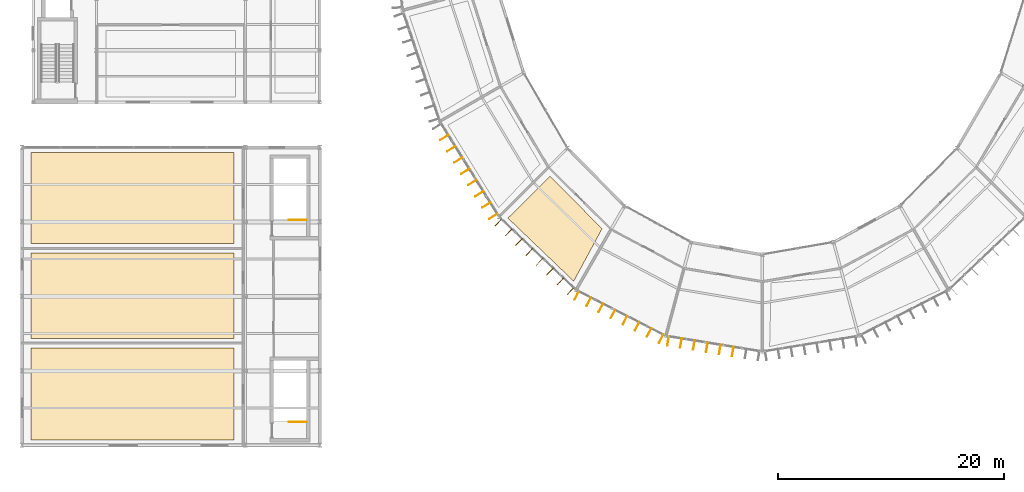
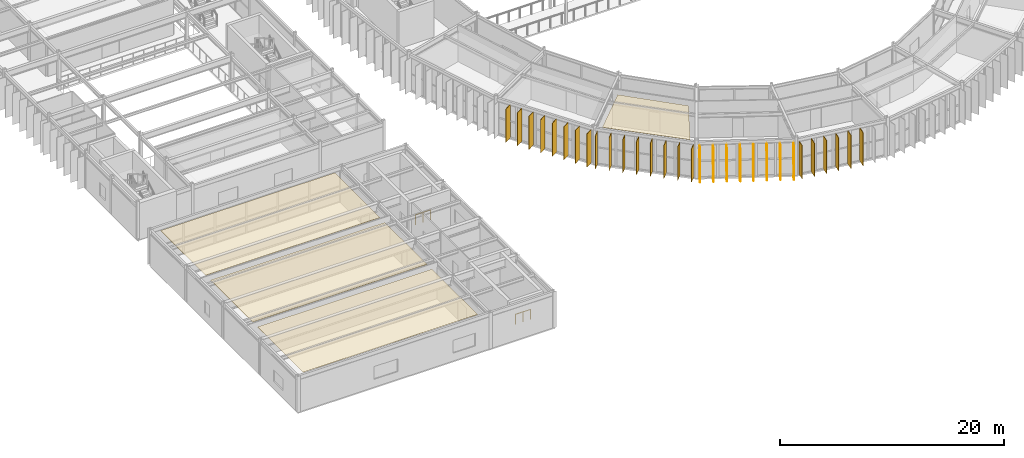
# One storey, part 133 of 147: 30 shading devices, 4 coverings, 2 railings.
"""IFC4 building model written with IfcOpenShell, lengths in metres."""

from ifc_helpers import new_model, si_unit, direction, frame, origin, origin_2d, place, context, subcontext, project, spatial, polyline, rectangle, circle, outline, extrude, material, layer, layer_set, type_object, element, save


model = new_model("IFC4")

# Units and contexts
model_context = context("Model", 3, precision=1e-05, world=origin(), true_north=direction((0.0, 1.0)))
body_context = subcontext(model_context, "Body", "Model", "MODEL_VIEW")
ifc_project = project(units=[si_unit("LENGTHUNIT", "METRE"), si_unit("AREAUNIT", "SQUARE_METRE"), si_unit("VOLUMEUNIT", "CUBIC_METRE"), si_unit("PLANEANGLEUNIT", "RADIAN"), si_unit("MASSUNIT", "GRAM", prefix="KILO")], contexts=[model_context])

# Site, building, storey
site_placement = place(None, origin())
site = spatial("IfcSite", under=ifc_project, at=site_placement, CompositionType="ELEMENT")
building_placement = place(site_placement, origin())
building = spatial("IfcBuilding", under=site, at=building_placement, Name="Karori Crest Natural Sciences Institute", CompositionType="ELEMENT")
storey_placement = place(building_placement, frame((0.0, 0.0, 9.10009765625)))
storey = spatial("IfcBuildingStorey", under=building, at=storey_placement, Name="L02", CompositionType="ELEMENT", Elevation=9.10009765625)

# Coverings
ifc_material_1 = material(Name="Acoustic mineral fibre ceiling tile")
ifc_layer_1 = layer(ifc_material_1, 0.02490234375, Name="Acoustic mineral fibre ceiling tile")
ifc_layer_set_1 = layer_set([ifc_layer_1], Name="Acoustic mineral fibre ceiling tile")
covering_type = type_object("IfcCoveringType", Name="CVT-CEIL", PredefinedType="CEILING", material=ifc_layer_set_1)
covering_1_placement = place(storey_placement, frame((0.0, 0.0, 3.704833984375)))
element("IfcCovering", 1, at=covering_1_placement, inside=storey, type_object=covering_type, Name="Acoustic ceiling CLG-0041", PredefinedType="CEILING", context=body_context, shape_type="SweptSolid", body=[
    extrude(outline(polyline([(1.59765625, 9.4013671875), (1.59765625, 1.248779296875), (19.602294921875, 1.248779296875), (19.602294921875, 9.4013671875), (1.59765625, 9.4013671875)])), origin(), (0.0, 0.0, 1.0), 0.025146484375),
])
covering_2_placement = place(storey_placement, frame((0.0, 0.0, 3.704833984375)))
element("IfcCovering", 2, at=covering_2_placement, inside=storey, type_object=covering_type, Name="Acoustic ceiling CLG-0042", PredefinedType="CEILING", context=body_context, shape_type="SweptSolid", body=[
    extrude(outline(polyline([(1.605712890625, 17.8193359375), (1.605712890625, 10.280517578125), (19.594482421875, 10.280517578125), (19.594482421875, 17.8193359375), (1.605712890625, 17.8193359375)])), origin(), (0.0, 0.0, 1.0), 0.025146484375),
])
covering_3_placement = place(storey_placement, frame((0.0, 0.0, 3.704833984375)))
element("IfcCovering", 3, at=covering_3_placement, inside=storey, type_object=covering_type, Name="Acoustic ceiling CLG-0043", PredefinedType="CEILING", context=body_context, shape_type="SweptSolid", body=[
    extrude(outline(polyline([(1.598876953125, 26.75390625), (1.598876953125, 18.696044921875), (19.60107421875, 18.696044921875), (19.60107421875, 26.75390625), (1.598876953125, 26.75390625)])), origin(), (0.0, 0.0, 1.0), 0.025146484375),
])
covering_4_placement = place(storey_placement, frame((0.0, 0.0, 3.704833984375)))
element("IfcCovering", 4, at=covering_4_placement, inside=storey, type_object=covering_type, Name="Acoustic ceiling CLG-0072", PredefinedType="CEILING", context=body_context, shape_type="SweptSolid", body=[
    extrude(outline(polyline([(52.20166015625, 19.988525390625), (47.58642578125, 24.64599609375), (43.8564453125, 20.929443359375), (49.689453125, 15.337890625), (52.20166015625, 19.988525390625)])), origin(), (0.0, 0.0, 1.0), 0.025146484375),
])

# Railings
ifc_material_2 = material(Name="Stainless steel 316 stair guard", Category="steel")
railing_type = type_object("IfcRailingType", Name="RLT-STG", PredefinedType="GUARDRAIL", material=ifc_material_2)
for number, where, name in (
    (5, (26.0, 2.85009765625, 0.0), "Stair top well guard RL-0387"),
    (6, (26.0, 20.75, 0.0), "Stair top well guard RL-0406"),
):
    element("IfcRailing", number, at=place(storey_placement, frame(where)), inside=storey, type_object=railing_type, Name=name, PredefinedType="GUARDRAIL", context=body_context, shape_type="SweptSolid", body=[
        extrude(circle(Radius=0.02392578125, at=origin_2d()), frame((0.0, 0.0, 1.076171875), z_axis=(-1.0, 0.0, 0.0), x_axis=(0.0, -1.0, 0.0)), (0.0, 0.0, 1.0), 1.550048828125),
        extrude(circle(Radius=0.02099609375, at=origin_2d()), origin(), (0.0, 0.0, 1.0), 1.052001953125),
        extrude(circle(Radius=0.02099609375, at=origin_2d()), frame((-0.77490234375, 0.0, 0.0)), (0.0, 0.0, 1.0), 1.052001953125),
        extrude(circle(Radius=0.02099609375, at=origin_2d()), frame((-1.550048828125, 0.0, 0.0)), (0.0, 0.0, 1.0), 1.052001953125),
    ])

# Shading devices
ifc_material_3 = material(Name="Anodised architectural aluminium 6063-T6", Category="aluminium")
ifc_layer_2 = layer(ifc_material_3, 0.044921875, Name="Anodised architectural aluminium 6063-T6")
ifc_layer_set_2 = layer_set([ifc_layer_2], Name="Anodised architectural aluminium 6063-T6")
shading_device_type = type_object("IfcShadingDeviceType", Name="SDT-FIN", PredefinedType="USERDEFINED", material=ifc_layer_set_2)
for number, where, z_axis, x_axis, name in (
    (7, (42.56396484375, 21.08056640625, 0.0), (0.0, 0.0, 1.0), (-0.849665445313, -0.527322132136, 0.0), "Vertical solar fin FN-0325"),
    (8, (41.94482421875, 22.078369140625, 0.0), (0.0, 0.0, 1.0), (-0.849665445313, -0.527322132136, 0.0), "Vertical solar fin FN-0326"),
    (9, (41.325439453125, 23.076171875, 0.0), (0.0, 0.0, 1.0), (-0.849665445313, -0.527322132136, 0.0), "Vertical solar fin FN-0327"),
    (10, (40.706298828125, 24.073974609375, 0.0), (0.0, 0.0, 1.0), (-0.849665445313, -0.527322132136, 0.0), "Vertical solar fin FN-0328"),
    (11, (40.0869140625, 25.07177734375, 0.0), (0.0, 0.0, 1.0), (-0.849665445313, -0.527322132136, 0.0), "Vertical solar fin FN-0329"),
    (12, (39.4677734375, 26.069580078125, 0.0), (0.0, 0.0, 1.0), (-0.849665445313, -0.527322132136, 0.0), "Vertical solar fin FN-0330"),
    (13, (38.848388671875, 27.0673828125, 0.0), (0.0, 0.0, 1.0), (-0.849665445313, -0.527322132136, 0.0), "Vertical solar fin FN-0331"),
    (14, (38.229248046875, 28.065185546875, 0.0), (0.0, 0.0, 1.0), (-0.849665445313, -0.527322132136, 0.0), "Vertical solar fin FN-0332"),
    (15, (49.417724609375, 14.45849609375, 0.0), (0.0, 0.0, 1.0), (-0.688245690469, -0.725477683703, 0.0), "Vertical solar fin FN-0334"),
    (16, (48.50244140625, 15.326904296875, 0.0), (0.0, 0.0, 1.0), (-0.688245690469, -0.725477683703, 0.0), "Vertical solar fin FN-0335"),
    (17, (47.5869140625, 16.195556640625, 0.0), (0.0, 0.0, 1.0), (-0.688245690469, -0.725477683703, 0.0), "Vertical solar fin FN-0336"),
    (18, (46.67138671875, 17.06396484375, 0.0), (0.0, 0.0, 1.0), (-0.688245690469, -0.725477683703, 0.0), "Vertical solar fin FN-0337"),
    (19, (45.756103515625, 17.932373046875, 0.0), (0.0, 0.0, 1.0), (-0.688245690469, -0.725477683703, 0.0), "Vertical solar fin FN-0338"),
    (20, (44.8408203125, 18.80078125, 0.0), (0.0, 0.0, 1.0), (-0.688245690469, -0.725477683703, 0.0), "Vertical solar fin FN-0339"),
    (21, (43.92529296875, 19.669189453125, 0.0), (0.0, 0.0, 1.0), (-0.688245690469, -0.725477683703, 0.0), "Vertical solar fin FN-0340"),
    (22, (43.010009765625, 20.53759765625, 0.0), (0.0, 0.0, 1.0), (-0.688245690469, -0.725477683703, 0.0), "Vertical solar fin FN-0341"),
    (23, (57.440673828125, 10.243896484375, 0.0), (0.0, 0.0, 1.0), (-0.455832320655, -0.890065669176, 0.0), "Vertical solar fin FN-0342"),
    (24, (56.371826171875, 10.791259765625, 0.0), (0.0, 0.0, 1.0), (-0.455832320655, -0.890065669176, 0.0), "Vertical solar fin FN-0343"),
    (25, (55.302978515625, 11.338623046875, 0.0), (0.0, 0.0, 1.0), (-0.455832320655, -0.890065669176, 0.0), "Vertical solar fin FN-0344"),
    (26, (54.234130859375, 11.885986328125, 0.0), (0.0, 0.0, 1.0), (-0.455832320655, -0.890065669176, 0.0), "Vertical solar fin FN-0345"),
    (27, (53.165283203125, 12.433349609375, 0.0), (0.0, 0.0, 1.0), (-0.455832320655, -0.890065669176, 0.0), "Vertical solar fin FN-0346"),
    (28, (52.096435546875, 12.980712890625, 0.0), (0.0, 0.0, 1.0), (-0.455832320655, -0.890065669176, 0.0), "Vertical solar fin FN-0347"),
    (29, (51.027587890625, 13.5283203125, 0.0), (0.0, 0.0, 1.0), (-0.455832320655, -0.890065669176, 0.0), "Vertical solar fin FN-0348"),
    (30, (49.95849609375, 14.07568359375, 0.0), (0.0, 0.0, 1.0), (-0.455832320655, -0.890065669176, 0.0), "Vertical solar fin FN-0349"),
    (31, (63.787109375, 9.10986328125, 0.0), (0.0, 0.0, 1.0), (-0.160651265334, -0.987011231419, 0.0), "Vertical solar fin FN-0352"),
    (32, (62.6396484375, 9.296630859375, 0.0), (0.0, 0.0, 1.0), (-0.160651265334, -0.987011231419, 0.0), "Vertical solar fin FN-0353"),
    (33, (61.4921875, 9.4833984375, 0.0), (0.0, 0.0, 1.0), (-0.160651265334, -0.987011231419, 0.0), "Vertical solar fin FN-0354"),
    (34, (60.344482421875, 9.670166015625, 0.0), (0.0, 0.0, 1.0), (-0.160651265334, -0.987011231419, 0.0), "Vertical solar fin FN-0355"),
    (35, (59.197265625, 9.85693359375, 0.0), (0.0, 0.0, 1.0), (-0.160651265334, -0.987011231419, 0.0), "Vertical solar fin FN-0356"),
    (36, (58.0498046875, 10.043701171875, 0.0), (0.0, 0.0, 1.0), (-0.160651265334, -0.987011231419, 0.0), "Vertical solar fin FN-0357"),
):
    element("IfcShadingDevice", number, at=place(storey_placement, frame(where, z_axis=z_axis, x_axis=x_axis)), inside=storey, type_object=shading_device_type, Name=name, ObjectType="SOLAR_FIN", PredefinedType="USERDEFINED", context=body_context, shape_type="SweptSolid", body=[
        extrude(rectangle(XDim=0.85009765625, YDim=0.044921875, at=origin_2d()), origin(), (0.0, 0.0, 1.0), 3.625),
    ])

save(model, "model.ifc")
